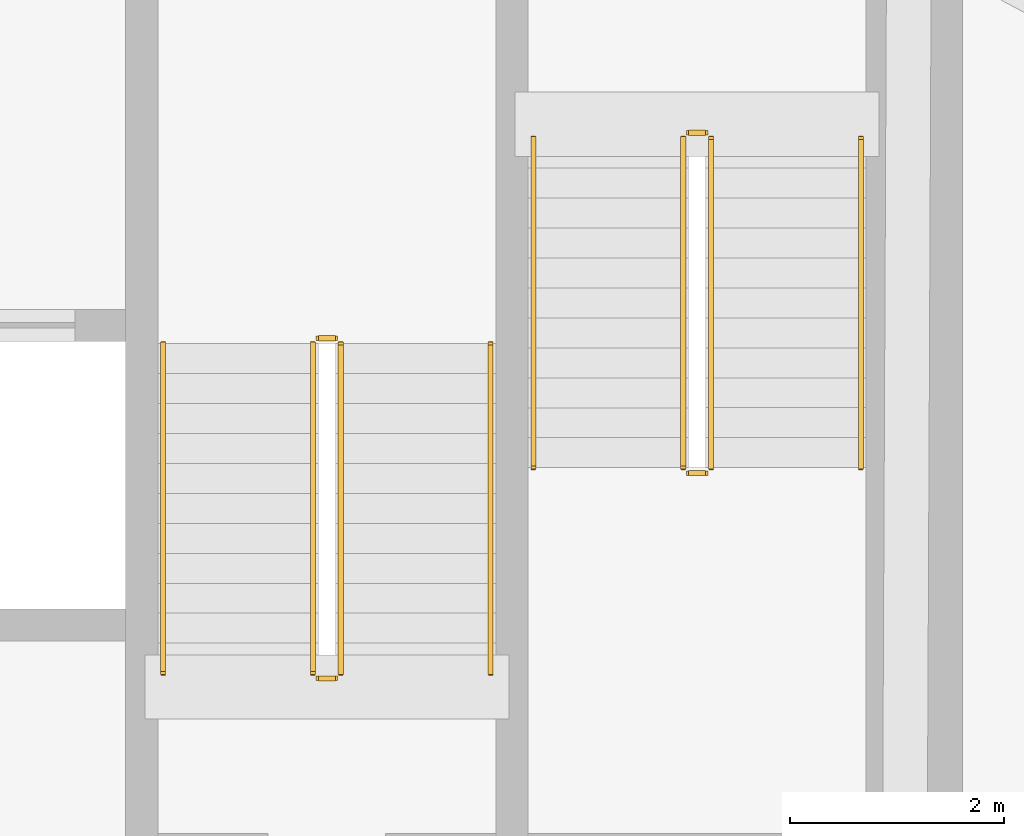
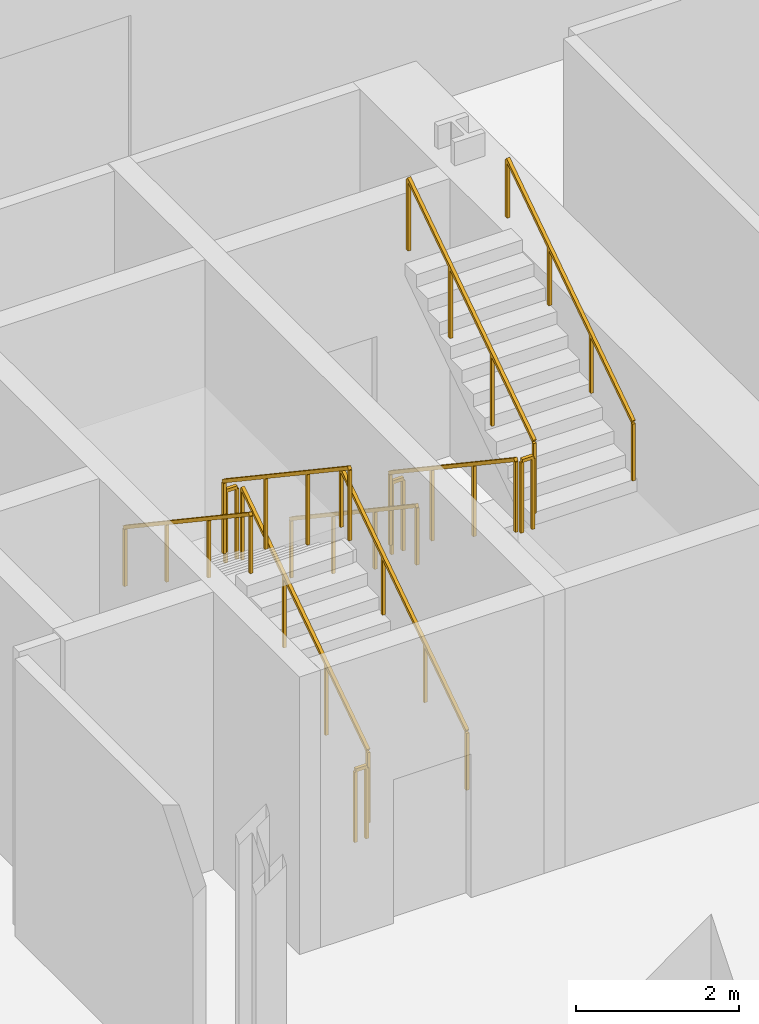
# One storey, part 10 of 10: 12 railings.
"""IFC4 building model written with IfcOpenShell, lengths in metres."""

import ifcopenshell
import ifcopenshell.guid

model = None  # the IFC model being written
_history = None  # IfcOwnerHistory: only IFC2X3 demands one
_inside = {}  # id of a spatial element -> (the spatial element, [elements in it])
_under = {}  # id of a project, library or spatial element -> (it, [spatial elements below it])
_declared = {}  # id of a project -> (the project, [libraries it declares])
_typed = {}  # id of a type object -> (the type object, [elements of that type])
_made_of = {}  # id of a material, layer set ... -> (it, [elements and type objects made of it])


def new_model(schema):
    """Start an empty IFC model of exactly this schema.

    Asked for "IFC4X3", IfcOpenShell would pick the latest addendum, in which some entities
    have other attributes; the version numbers below select the first issue.
    IFC2X3 requires an IfcOwnerHistory on every rooted entity: one is made here for all.
    """
    global model, _history
    if schema == "IFC4X3":
        model = ifcopenshell.file(schema_version=(4, 3, 0, 0))
    else:
        model = ifcopenshell.file(schema=schema)
    _inside.clear()
    _under.clear()
    _declared.clear()
    _typed.clear()
    _made_of.clear()
    _history = None
    if model.schema == "IFC2X3":
        org = make("IfcOrganization", Name="unknown")
        user = make(
            "IfcPersonAndOrganization",
            ThePerson=make("IfcPerson", FamilyName="unknown"),
            TheOrganization=org,
        )
        app = make(
            "IfcApplication",
            ApplicationDeveloper=org,
            Version="unknown",
            ApplicationFullName="unknown",
            ApplicationIdentifier="unknown",
        )
        _history = make(
            "IfcOwnerHistory",
            OwningUser=user,
            OwningApplication=app,
            ChangeAction="ADDED",
            CreationDate=0,
        )
    return model


def make(cls, **values):
    """One entity of the class cls with the attributes given. An attribute that is None is left unset."""
    return model.create_entity(
        cls, **{name: value for name, value in values.items() if value is not None}
    )


def rooted(cls, **values):
    """An entity with a GlobalId (a new one), such as an element, a storey or a relation."""
    return make(cls, GlobalId=ifcopenshell.guid.new(), OwnerHistory=_history, **values)


def si_unit(unit_type, name, prefix=None):
    """IfcSIUnit, for example si_unit("LENGTHUNIT", "METRE", prefix="MILLI")."""
    return make("IfcSIUnit", UnitType=unit_type, Prefix=prefix, Name=name)


def assignment(units):
    """IfcUnitAssignment: the units of a project."""
    return None if units is None else make("IfcUnitAssignment", Units=units)


def point(xyz):
    """IfcCartesianPoint."""
    return None if xyz is None else make("IfcCartesianPoint", Coordinates=xyz)


def direction(xyz):
    """IfcDirection."""
    return None if xyz is None else make("IfcDirection", DirectionRatios=xyz)


def frame(location, z_axis=None, x_axis=None):
    """IfcAxis2Placement3D, a coordinate frame: its origin and axes. An axis left out is left unset."""
    return make(
        "IfcAxis2Placement3D",
        Location=point(location),
        Axis=direction(z_axis),
        RefDirection=direction(x_axis),
    )


def frame_2d(location, x_axis=None):
    """IfcAxis2Placement2D, a coordinate frame in the plane: its origin and x axis."""
    return make(
        "IfcAxis2Placement2D", Location=point(location), RefDirection=direction(x_axis)
    )


def origin():
    """The frame at (0, 0, 0) with its axes left unset."""
    return frame((0.0, 0.0, 0.0))


def origin_2d():
    """The frame at (0, 0) in the plane with its x axis left unset."""
    return frame_2d((0.0, 0.0))


def place(relative_to, where):
    """IfcLocalPlacement: puts the frame where relative to a parent placement (None: the world)."""
    return make(
        "IfcLocalPlacement", PlacementRelTo=relative_to, RelativePlacement=where
    )


def context(
    kind, dimensions, precision=None, world=None, true_north=None, identifier=None
):
    """IfcGeometricRepresentationContext, for example the 3D "Model" context."""
    return make(
        "IfcGeometricRepresentationContext",
        ContextIdentifier=identifier,
        ContextType=kind,
        CoordinateSpaceDimension=dimensions,
        Precision=precision,
        WorldCoordinateSystem=world,
        TrueNorth=true_north,
    )


def subcontext(parent, identifier, kind, view, scale=None):
    """IfcGeometricRepresentationSubContext, for example "Body" below "Model"."""
    return make(
        "IfcGeometricRepresentationSubContext",
        ContextIdentifier=identifier,
        ContextType=kind,
        ParentContext=parent,
        TargetScale=scale,
        TargetView=view,
    )


def project(units=None, contexts=None):
    """IfcProject with its units and contexts."""
    return rooted(
        "IfcProject",
        Name="project",
        RepresentationContexts=contexts,
        UnitsInContext=assignment(units),
    )


def spatial(cls, under=None, at=None, **own):
    """A site, building, storey or space (cls), placed at a placement, below another one or the project."""
    s = rooted(cls, ObjectPlacement=at, **own)
    if under is not None:
        _under.setdefault(under.id(), (under, []))[1].append(s)
    return s


def profile(cls, at=None, kind="AREA", **sizes):
    """A parametric profile (cls). Its sizes go by their IFC names, for example OverallWidth=200.0."""
    return make(cls, ProfileType=kind, Position=at, **sizes)


def rectangle(**sizes):
    """IfcRectangleProfileDef."""
    return profile("IfcRectangleProfileDef", **sizes)


def extrude(swept, where, along, depth):
    """IfcExtrudedAreaSolid: the profile swept, set in the frame where, extruded along a direction by depth."""
    return make(
        "IfcExtrudedAreaSolid",
        SweptArea=swept,
        Position=where,
        ExtrudedDirection=direction(along),
        Depth=depth,
    )


def shape(context_of_items, identifier, shape_type, items):
    """IfcShapeRepresentation: the items that make up one representation, for example the "Body"."""
    return make(
        "IfcShapeRepresentation",
        ContextOfItems=context_of_items,
        RepresentationIdentifier=identifier,
        RepresentationType=shape_type,
        Items=items,
    )


def material(Name=None, Category=None):
    """IfcMaterial."""
    return make("IfcMaterial", Name=Name, Category=Category)


def made_of(thing, what):
    """Note that an element or type object is made of a material, layer set ...; save() writes the relation."""
    if what is not None:
        _made_of.setdefault(what.id(), (what, []))[1].append(thing)
    return thing


def type_object(cls, material=None, **own):
    """A type object (cls), such as IfcWallType, which elements share."""
    return made_of(rooted(cls, **own), material)


def element(
    cls,
    number,
    at=None,
    inside=None,
    cuts=None,
    type_object=None,
    material=None,
    context=None,
    identifier="Body",
    shape_type=None,
    held_by="IfcProductDefinitionShape",
    body=None,
    shapes=None,
    **own,
):
    """One element of the class cls, such as IfcWall. Its Tag is "e" and its number.

    at: its placement. inside: the storey or other place that contains it. cuts: it is an
    opening in that element (IfcRelVoidsElement). A single representation is given by context,
    identifier, shape_type and body (its items); several are given by shapes. held_by: the class
    of the entity that holds the representations. save() writes the other relations.
    """
    e = rooted(cls, Tag="e%d" % number, ObjectPlacement=at, **own)
    if body is not None:
        shapes = [shape(context, identifier, shape_type, body)]
    if shapes is not None:
        e.Representation = make(held_by, Representations=shapes)
    if inside is not None:
        _inside.setdefault(inside.id(), (inside, []))[1].append(e)
    if cuts is not None:
        rooted(
            "IfcRelVoidsElement", RelatingBuildingElement=cuts, RelatedOpeningElement=e
        )
    if type_object is not None:
        _typed.setdefault(type_object.id(), (type_object, []))[1].append(e)
    return made_of(e, material)


def aggregate(whole, parts):
    """IfcRelAggregates: a whole, such as a stair, and the parts it consists of."""
    return rooted("IfcRelAggregates", RelatingObject=whole, RelatedObjects=parts)


def save(model, path):
    """Write the relations noted so far, then the file.

    IfcRelAggregates (storeys below a building ...), IfcRelContainedInSpatialStructure (elements
    in a storey), IfcRelDefinesByType, IfcRelAssociatesMaterial and IfcRelDeclares: one each for
    every whole, place, type object, material and project.
    """
    for whole, parts in _under.values():
        aggregate(whole, parts)
    for where, things in _inside.values():
        rooted(
            "IfcRelContainedInSpatialStructure",
            RelatedElements=things,
            RelatingStructure=where,
        )
    for kind, things in _typed.values():
        rooted("IfcRelDefinesByType", RelatedObjects=things, RelatingType=kind)
    for what, things in _made_of.values():
        rooted("IfcRelAssociatesMaterial", RelatedObjects=things, RelatingMaterial=what)
    for by, libraries in _declared.values():
        rooted("IfcRelDeclares", RelatingContext=by, RelatedDefinitions=libraries)
    model.write(path)


model = new_model("IFC4")

# Units and contexts
model_context = context("Model", 3, precision=1e-05, world=origin(), true_north=direction((0.0, 1.0)))
body_context = subcontext(model_context, "Body", "Model", "MODEL_VIEW")
ifc_project = project(units=[si_unit("LENGTHUNIT", "METRE"), si_unit("AREAUNIT", "SQUARE_METRE"), si_unit("VOLUMEUNIT", "CUBIC_METRE"), si_unit("PLANEANGLEUNIT", "RADIAN"), si_unit("MASSUNIT", "GRAM", prefix="KILO"), si_unit("THERMODYNAMICTEMPERATUREUNIT", "KELVIN"), si_unit("POWERUNIT", "WATT")], contexts=[model_context])

# Site, building, storey
site_placement = place(None, origin())
site = spatial("IfcSite", under=ifc_project, at=site_placement, CompositionType="ELEMENT")
building_placement = place(site_placement, origin())
building = spatial("IfcBuilding", under=site, at=building_placement, Name="Cundina Bronze Exchange", CompositionType="ELEMENT")
storey_placement = place(building_placement, frame((0.0, 0.0, -4.5)))
storey = spatial("IfcBuildingStorey", under=building, at=storey_placement, Name="B01", CompositionType="ELEMENT", Elevation=-4.5)

# Railings
ifc_material = material(Name="Steel ASTM A36 Painted", Category="steel")
railing_type_1 = type_object("IfcRailingType", Name="RLG-HND-900", PredefinedType="HANDRAIL", material=ifc_material)
railing_1_placement = place(storey_placement, frame((27.7900390625, -5.85009765625, 0.1875)))
element("IfcRailing", 1, at=railing_1_placement, inside=storey, type_object=railing_type_1, Name="B01 ST-E1 stair handrail 1", PredefinedType="HANDRAIL", context=body_context, shape_type="SweptSolid", body=[
    extrude(rectangle(XDim=0.048095703125, YDim=0.048095703125, at=origin_2d()), frame((0.0, 0.0, 0.8759765625), z_axis=(0.0, -0.830893310487, 0.556431762742), x_axis=(1.0, 0.0, 0.0)), (0.0, 0.0, 1.0), 3.70654296875),
    extrude(rectangle(XDim=0.0419921875, YDim=0.0419921875, at=origin_2d()), origin(), (0.0, 0.0, 1.0), 0.851806640625),
    extrude(rectangle(XDim=0.0419921875, YDim=0.0419921875, at=origin_2d()), frame((0.0, -1.026611328125, 0.6875)), (0.0, 0.0, 1.0), 0.851806640625),
    extrude(rectangle(XDim=0.0419921875, YDim=0.0419921875, at=origin_2d()), frame((0.0, -2.05322265625, 1.375)), (0.0, 0.0, 1.0), 0.851806640625),
    extrude(rectangle(XDim=0.0419921875, YDim=0.0419921875, at=origin_2d()), frame((0.0, -3.079833984375, 2.0625)), (0.0, 0.0, 1.0), 0.851806640625),
])
railing_2_placement = place(storey_placement, frame((30.85009765625, -8.929931640625, 2.4375)))
element("IfcRailing", 2, at=railing_2_placement, inside=storey, type_object=railing_type_1, Name="B01 ST-E1 stair handrail 2", PredefinedType="HANDRAIL", context=body_context, shape_type="SweptSolid", body=[
    extrude(rectangle(XDim=0.048095703125, YDim=0.048095703125, at=origin_2d()), frame((0.0, 0.0, 0.8759765625), z_axis=(0.0, 0.830893310487, 0.556431762742), x_axis=(-1.0, 0.0, 0.0)), (0.0, 0.0, 1.0), 3.70654296875),
    extrude(rectangle(XDim=0.0419921875, YDim=0.0419921875, at=origin_2d()), origin(), (0.0, 0.0, 1.0), 0.851806640625),
    extrude(rectangle(XDim=0.0419921875, YDim=0.0419921875, at=origin_2d()), frame((0.0, 1.026611328125, 0.6875)), (0.0, 0.0, 1.0), 0.851806640625),
    extrude(rectangle(XDim=0.0419921875, YDim=0.0419921875, at=origin_2d()), frame((0.0, 2.05322265625, 1.375)), (0.0, 0.0, 1.0), 0.851806640625),
    extrude(rectangle(XDim=0.0419921875, YDim=0.0419921875, at=origin_2d()), frame((0.0, 3.079833984375, 2.0625)), (0.0, 0.0, 1.0), 0.851806640625),
])
railing_3_placement = place(storey_placement, frame((27.389892578125, -10.85009765625, 0.1875)))
element("IfcRailing", 3, at=railing_3_placement, inside=storey, type_object=railing_type_1, Name="B01 ST-E2 stair handrail 1", PredefinedType="HANDRAIL", context=body_context, shape_type="SweptSolid", body=[
    extrude(rectangle(XDim=0.048095703125, YDim=0.048095703125, at=origin_2d()), frame((0.0, 0.0, 0.8759765625), z_axis=(0.0, 0.830913701846, 0.55640131208), x_axis=(-1.0, 0.0, 0.0)), (0.0, 0.0, 1.0), 3.706787109375),
    extrude(rectangle(XDim=0.0419921875, YDim=0.0419921875, at=origin_2d()), origin(), (0.0, 0.0, 1.0), 0.851806640625),
    extrude(rectangle(XDim=0.0419921875, YDim=0.0419921875, at=origin_2d()), frame((0.0, 1.026611328125, 0.6875)), (0.0, 0.0, 1.0), 0.851806640625),
    extrude(rectangle(XDim=0.0419921875, YDim=0.0419921875, at=origin_2d()), frame((0.0, 2.053466796875, 1.375)), (0.0, 0.0, 1.0), 0.851806640625),
    extrude(rectangle(XDim=0.0419921875, YDim=0.0419921875, at=origin_2d()), frame((0.0, 3.080078125, 2.0625)), (0.0, 0.0, 1.0), 0.851806640625),
])
railing_4_placement = place(storey_placement, frame((24.330078125, -7.77001953125, 2.4375)))
element("IfcRailing", 4, at=railing_4_placement, inside=storey, type_object=railing_type_1, Name="B01 ST-E2 stair handrail 2", PredefinedType="HANDRAIL", context=body_context, shape_type="SweptSolid", body=[
    extrude(rectangle(XDim=0.048095703125, YDim=0.048095703125, at=origin_2d()), frame((0.0, 0.0, 0.8759765625), z_axis=(0.0, -0.830913701846, 0.55640131208), x_axis=(1.0, 0.0, 0.0)), (0.0, 0.0, 1.0), 3.706787109375),
    extrude(rectangle(XDim=0.0419921875, YDim=0.0419921875, at=origin_2d()), origin(), (0.0, 0.0, 1.0), 0.851806640625),
    extrude(rectangle(XDim=0.0419921875, YDim=0.0419921875, at=origin_2d()), frame((0.0, -1.026611328125, 0.6875)), (0.0, 0.0, 1.0), 0.851806640625),
    extrude(rectangle(XDim=0.0419921875, YDim=0.0419921875, at=origin_2d()), frame((0.0, -2.053466796875, 1.375)), (0.0, 0.0, 1.0), 0.851806640625),
    extrude(rectangle(XDim=0.0419921875, YDim=0.0419921875, at=origin_2d()), frame((0.0, -3.080078125, 2.0625)), (0.0, 0.0, 1.0), 0.851806640625),
])
railing_type_2 = type_object("IfcRailingType", Name="RLG-STG-1100", PredefinedType="GUARDRAIL", material=ifc_material)
railing_5_placement = place(storey_placement, frame((29.18994140625, -5.85009765625, 0.1875)))
element("IfcRailing", 5, at=railing_5_placement, inside=storey, type_object=railing_type_2, Name="B01 ST-E1 stair guard 1", PredefinedType="GUARDRAIL", context=body_context, shape_type="SweptSolid", body=[
    extrude(rectangle(XDim=0.048095703125, YDim=0.048095703125, at=origin_2d()), frame((0.0, 0.0, 1.076171875), z_axis=(0.0, -0.830893310487, 0.556431762742), x_axis=(1.0, 0.0, 0.0)), (0.0, 0.0, 1.0), 3.70654296875),
    extrude(rectangle(XDim=0.0419921875, YDim=0.0419921875, at=origin_2d()), origin(), (0.0, 0.0, 1.0), 1.052001953125),
    extrude(rectangle(XDim=0.0419921875, YDim=0.0419921875, at=origin_2d()), frame((0.0, -1.026611328125, 0.6875)), (0.0, 0.0, 1.0), 1.052001953125),
    extrude(rectangle(XDim=0.0419921875, YDim=0.0419921875, at=origin_2d()), frame((0.0, -2.05322265625, 1.375)), (0.0, 0.0, 1.0), 1.052001953125),
    extrude(rectangle(XDim=0.0419921875, YDim=0.0419921875, at=origin_2d()), frame((0.0, -3.079833984375, 2.0625)), (0.0, 0.0, 1.0), 1.052001953125),
])
railing_6_placement = place(storey_placement, frame((29.239990234375, -8.97998046875, 2.25)))
element("IfcRailing", 6, at=railing_6_placement, inside=storey, type_object=railing_type_2, Name="B01 ST-E1 stair guard 2", PredefinedType="GUARDRAIL", context=body_context, shape_type="SweptSolid", body=[
    extrude(rectangle(XDim=0.048095703125, YDim=0.048095703125, at=origin_2d()), frame((0.0, 0.0, 1.076171875), z_axis=(1.0, 0.0, 0.0), x_axis=(0.0, 1.0, 0.0)), (0.0, 0.0, 1.0), 0.159912109375),
    extrude(rectangle(XDim=0.0419921875, YDim=0.0419921875, at=origin_2d()), origin(), (0.0, 0.0, 1.0), 1.052001953125),
    extrude(rectangle(XDim=0.0419921875, YDim=0.0419921875, at=origin_2d()), frame((0.159912109375, 0.0, 0.0)), (0.0, 0.0, 1.0), 1.052001953125),
])
railing_7_placement = place(storey_placement, frame((29.449951171875, -8.929931640625, 2.4375)))
element("IfcRailing", 7, at=railing_7_placement, inside=storey, type_object=railing_type_2, Name="B01 ST-E1 stair guard 3", PredefinedType="GUARDRAIL", context=body_context, shape_type="SweptSolid", body=[
    extrude(rectangle(XDim=0.048095703125, YDim=0.048095703125, at=origin_2d()), frame((0.0, 0.0, 1.076171875), z_axis=(0.0, 0.830893310487, 0.556431762742), x_axis=(-1.0, 0.0, 0.0)), (0.0, 0.0, 1.0), 3.70654296875),
    extrude(rectangle(XDim=0.0419921875, YDim=0.0419921875, at=origin_2d()), origin(), (0.0, 0.0, 1.0), 1.052001953125),
    extrude(rectangle(XDim=0.0419921875, YDim=0.0419921875, at=origin_2d()), frame((0.0, 1.026611328125, 0.6875)), (0.0, 0.0, 1.0), 1.052001953125),
    extrude(rectangle(XDim=0.0419921875, YDim=0.0419921875, at=origin_2d()), frame((0.0, 2.05322265625, 1.375)), (0.0, 0.0, 1.0), 1.052001953125),
    extrude(rectangle(XDim=0.0419921875, YDim=0.0419921875, at=origin_2d()), frame((0.0, 3.079833984375, 2.0625)), (0.0, 0.0, 1.0), 1.052001953125),
])
railing_8_placement = place(storey_placement, frame((29.239990234375, -5.800048828125, 0.0)))
element("IfcRailing", 8, at=railing_8_placement, inside=storey, type_object=railing_type_2, Name="B01 ST-E1 stair guard 4", PredefinedType="GUARDRAIL", context=body_context, shape_type="SweptSolid", body=[
    extrude(rectangle(XDim=0.048095703125, YDim=0.048095703125, at=origin_2d()), frame((0.0, 0.0, 1.076171875), z_axis=(1.0, 0.0, 0.0), x_axis=(0.0, 1.0, 0.0)), (0.0, 0.0, 1.0), 0.159912109375),
    extrude(rectangle(XDim=0.0419921875, YDim=0.0419921875, at=origin_2d()), origin(), (0.0, 0.0, 1.0), 1.052001953125),
    extrude(rectangle(XDim=0.0419921875, YDim=0.0419921875, at=origin_2d()), frame((0.159912109375, 0.0, 0.0)), (0.0, 0.0, 1.0), 1.052001953125),
])
railing_9_placement = place(storey_placement, frame((25.989990234375, -10.85009765625, 0.1875)))
element("IfcRailing", 9, at=railing_9_placement, inside=storey, type_object=railing_type_2, Name="B01 ST-E2 stair guard 1", PredefinedType="GUARDRAIL", context=body_context, shape_type="SweptSolid", body=[
    extrude(rectangle(XDim=0.048095703125, YDim=0.048095703125, at=origin_2d()), frame((0.0, 0.0, 1.076171875), z_axis=(0.0, 0.830913701846, 0.55640131208), x_axis=(-1.0, 0.0, 0.0)), (0.0, 0.0, 1.0), 3.706787109375),
    extrude(rectangle(XDim=0.0419921875, YDim=0.0419921875, at=origin_2d()), origin(), (0.0, 0.0, 1.0), 1.052001953125),
    extrude(rectangle(XDim=0.0419921875, YDim=0.0419921875, at=origin_2d()), frame((0.0, 1.026611328125, 0.6875)), (0.0, 0.0, 1.0), 1.052001953125),
    extrude(rectangle(XDim=0.0419921875, YDim=0.0419921875, at=origin_2d()), frame((0.0, 2.053466796875, 1.375)), (0.0, 0.0, 1.0), 1.052001953125),
    extrude(rectangle(XDim=0.0419921875, YDim=0.0419921875, at=origin_2d()), frame((0.0, 3.080078125, 2.0625)), (0.0, 0.0, 1.0), 1.052001953125),
])
railing_10_placement = place(storey_placement, frame((25.93994140625, -7.719970703125, 2.25)))
element("IfcRailing", 10, at=railing_10_placement, inside=storey, type_object=railing_type_2, Name="B01 ST-E2 stair guard 2", PredefinedType="GUARDRAIL", context=body_context, shape_type="SweptSolid", body=[
    extrude(rectangle(XDim=0.048095703125, YDim=0.048095703125, at=origin_2d()), frame((0.0, 0.0, 1.076171875), z_axis=(-1.0, 0.0, 0.0), x_axis=(0.0, -1.0, 0.0)), (0.0, 0.0, 1.0), 0.159912109375),
    extrude(rectangle(XDim=0.0419921875, YDim=0.0419921875, at=origin_2d()), origin(), (0.0, 0.0, 1.0), 1.052001953125),
    extrude(rectangle(XDim=0.0419921875, YDim=0.0419921875, at=origin_2d()), frame((-0.159912109375, 0.0, 0.0)), (0.0, 0.0, 1.0), 1.052001953125),
])
railing_11_placement = place(storey_placement, frame((25.72998046875, -7.77001953125, 2.4375)))
element("IfcRailing", 11, at=railing_11_placement, inside=storey, type_object=railing_type_2, Name="B01 ST-E2 stair guard 3", PredefinedType="GUARDRAIL", context=body_context, shape_type="SweptSolid", body=[
    extrude(rectangle(XDim=0.048095703125, YDim=0.048095703125, at=origin_2d()), frame((0.0, 0.0, 1.076171875), z_axis=(0.0, -0.830913701846, 0.55640131208), x_axis=(1.0, 0.0, 0.0)), (0.0, 0.0, 1.0), 3.706787109375),
    extrude(rectangle(XDim=0.0419921875, YDim=0.0419921875, at=origin_2d()), origin(), (0.0, 0.0, 1.0), 1.052001953125),
    extrude(rectangle(XDim=0.0419921875, YDim=0.0419921875, at=origin_2d()), frame((0.0, -1.026611328125, 0.6875)), (0.0, 0.0, 1.0), 1.052001953125),
    extrude(rectangle(XDim=0.0419921875, YDim=0.0419921875, at=origin_2d()), frame((0.0, -2.053466796875, 1.375)), (0.0, 0.0, 1.0), 1.052001953125),
    extrude(rectangle(XDim=0.0419921875, YDim=0.0419921875, at=origin_2d()), frame((0.0, -3.080078125, 2.0625)), (0.0, 0.0, 1.0), 1.052001953125),
])
railing_12_placement = place(storey_placement, frame((25.93994140625, -10.89990234375, 0.0)))
element("IfcRailing", 12, at=railing_12_placement, inside=storey, type_object=railing_type_2, Name="B01 ST-E2 stair guard 4", PredefinedType="GUARDRAIL", context=body_context, shape_type="SweptSolid", body=[
    extrude(rectangle(XDim=0.048095703125, YDim=0.048095703125, at=origin_2d()), frame((0.0, 0.0, 1.076171875), z_axis=(-1.0, 0.0, 0.0), x_axis=(0.0, -1.0, 0.0)), (0.0, 0.0, 1.0), 0.159912109375),
    extrude(rectangle(XDim=0.0419921875, YDim=0.0419921875, at=origin_2d()), origin(), (0.0, 0.0, 1.0), 1.052001953125),
    extrude(rectangle(XDim=0.0419921875, YDim=0.0419921875, at=origin_2d()), frame((-0.159912109375, 0.0, 0.0)), (0.0, 0.0, 1.0), 1.052001953125),
])

save(model, "model.ifc")
